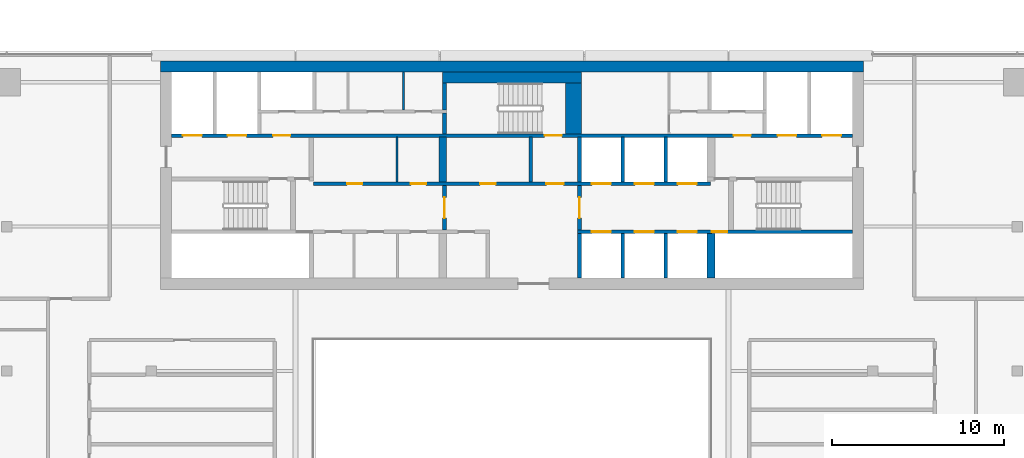
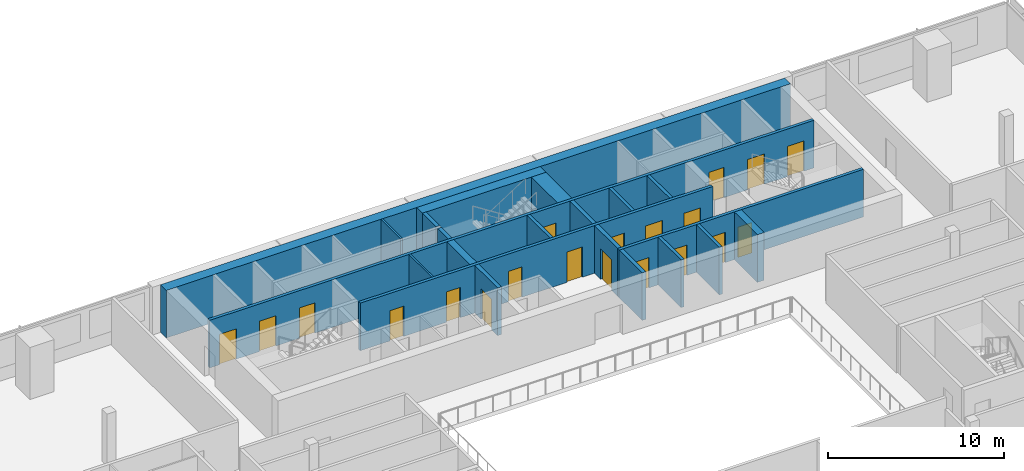
# One storey, part 20 of 25: 21 walls, 20 doors, 20 openings.
"""IFC4 building model written with IfcOpenShell, lengths in metres."""

import ifcopenshell
import ifcopenshell.guid

model = None  # the IFC model being written
_history = None  # IfcOwnerHistory: only IFC2X3 demands one
_inside = {}  # id of a spatial element -> (the spatial element, [elements in it])
_under = {}  # id of a project, library or spatial element -> (it, [spatial elements below it])
_declared = {}  # id of a project -> (the project, [libraries it declares])
_typed = {}  # id of a type object -> (the type object, [elements of that type])
_made_of = {}  # id of a material, layer set ... -> (it, [elements and type objects made of it])


def new_model(schema):
    """Start an empty IFC model of exactly this schema.

    Asked for "IFC4X3", IfcOpenShell would pick the latest addendum, in which some entities
    have other attributes; the version numbers below select the first issue.
    IFC2X3 requires an IfcOwnerHistory on every rooted entity: one is made here for all.
    """
    global model, _history
    if schema == "IFC4X3":
        model = ifcopenshell.file(schema_version=(4, 3, 0, 0))
    else:
        model = ifcopenshell.file(schema=schema)
    _inside.clear()
    _under.clear()
    _declared.clear()
    _typed.clear()
    _made_of.clear()
    _history = None
    if model.schema == "IFC2X3":
        org = make("IfcOrganization", Name="unknown")
        user = make(
            "IfcPersonAndOrganization",
            ThePerson=make("IfcPerson", FamilyName="unknown"),
            TheOrganization=org,
        )
        app = make(
            "IfcApplication",
            ApplicationDeveloper=org,
            Version="unknown",
            ApplicationFullName="unknown",
            ApplicationIdentifier="unknown",
        )
        _history = make(
            "IfcOwnerHistory",
            OwningUser=user,
            OwningApplication=app,
            ChangeAction="ADDED",
            CreationDate=0,
        )
    return model


def make(cls, **values):
    """One entity of the class cls with the attributes given. An attribute that is None is left unset."""
    return model.create_entity(
        cls, **{name: value for name, value in values.items() if value is not None}
    )


def rooted(cls, **values):
    """An entity with a GlobalId (a new one), such as an element, a storey or a relation."""
    return make(cls, GlobalId=ifcopenshell.guid.new(), OwnerHistory=_history, **values)


def si_unit(unit_type, name, prefix=None):
    """IfcSIUnit, for example si_unit("LENGTHUNIT", "METRE", prefix="MILLI")."""
    return make("IfcSIUnit", UnitType=unit_type, Prefix=prefix, Name=name)


def assignment(units):
    """IfcUnitAssignment: the units of a project."""
    return None if units is None else make("IfcUnitAssignment", Units=units)


def point(xyz):
    """IfcCartesianPoint."""
    return None if xyz is None else make("IfcCartesianPoint", Coordinates=xyz)


def direction(xyz):
    """IfcDirection."""
    return None if xyz is None else make("IfcDirection", DirectionRatios=xyz)


def frame(location, z_axis=None, x_axis=None):
    """IfcAxis2Placement3D, a coordinate frame: its origin and axes. An axis left out is left unset."""
    return make(
        "IfcAxis2Placement3D",
        Location=point(location),
        Axis=direction(z_axis),
        RefDirection=direction(x_axis),
    )


def frame_2d(location, x_axis=None):
    """IfcAxis2Placement2D, a coordinate frame in the plane: its origin and x axis."""
    return make(
        "IfcAxis2Placement2D", Location=point(location), RefDirection=direction(x_axis)
    )


def origin():
    """The frame at (0, 0, 0) with its axes left unset."""
    return frame((0.0, 0.0, 0.0))


def place(relative_to, where):
    """IfcLocalPlacement: puts the frame where relative to a parent placement (None: the world)."""
    return make(
        "IfcLocalPlacement", PlacementRelTo=relative_to, RelativePlacement=where
    )


def context(
    kind, dimensions, precision=None, world=None, true_north=None, identifier=None
):
    """IfcGeometricRepresentationContext, for example the 3D "Model" context."""
    return make(
        "IfcGeometricRepresentationContext",
        ContextIdentifier=identifier,
        ContextType=kind,
        CoordinateSpaceDimension=dimensions,
        Precision=precision,
        WorldCoordinateSystem=world,
        TrueNorth=true_north,
    )


def subcontext(parent, identifier, kind, view, scale=None):
    """IfcGeometricRepresentationSubContext, for example "Body" below "Model"."""
    return make(
        "IfcGeometricRepresentationSubContext",
        ContextIdentifier=identifier,
        ContextType=kind,
        ParentContext=parent,
        TargetScale=scale,
        TargetView=view,
    )


def project(units=None, contexts=None):
    """IfcProject with its units and contexts."""
    return rooted(
        "IfcProject",
        Name="project",
        RepresentationContexts=contexts,
        UnitsInContext=assignment(units),
    )


def spatial(cls, under=None, at=None, **own):
    """A site, building, storey or space (cls), placed at a placement, below another one or the project."""
    s = rooted(cls, ObjectPlacement=at, **own)
    if under is not None:
        _under.setdefault(under.id(), (under, []))[1].append(s)
    return s


def profile(cls, at=None, kind="AREA", **sizes):
    """A parametric profile (cls). Its sizes go by their IFC names, for example OverallWidth=200.0."""
    return make(cls, ProfileType=kind, Position=at, **sizes)


def rectangle(**sizes):
    """IfcRectangleProfileDef."""
    return profile("IfcRectangleProfileDef", **sizes)


def extrude(swept, where, along, depth):
    """IfcExtrudedAreaSolid: the profile swept, set in the frame where, extruded along a direction by depth."""
    return make(
        "IfcExtrudedAreaSolid",
        SweptArea=swept,
        Position=where,
        ExtrudedDirection=direction(along),
        Depth=depth,
    )


def shape(context_of_items, identifier, shape_type, items):
    """IfcShapeRepresentation: the items that make up one representation, for example the "Body"."""
    return make(
        "IfcShapeRepresentation",
        ContextOfItems=context_of_items,
        RepresentationIdentifier=identifier,
        RepresentationType=shape_type,
        Items=items,
    )


def material(Name=None, Category=None):
    """IfcMaterial."""
    return make("IfcMaterial", Name=Name, Category=Category)


def layer(
    of_material, thickness, ventilated=None, Name=None, Category=None, Priority=None
):
    """IfcMaterialLayer: one layer of a wall or slab, of a material (None: an air gap)."""
    return make(
        "IfcMaterialLayer",
        Material=of_material,
        LayerThickness=thickness,
        IsVentilated=ventilated,
        Name=Name,
        Category=Category,
        Priority=Priority,
    )


def layer_set(layers, Name=None):
    """IfcMaterialLayerSet."""
    return make("IfcMaterialLayerSet", MaterialLayers=layers, LayerSetName=Name)


def made_of(thing, what):
    """Note that an element or type object is made of a material, layer set ...; save() writes the relation."""
    if what is not None:
        _made_of.setdefault(what.id(), (what, []))[1].append(thing)
    return thing


def type_object(cls, material=None, **own):
    """A type object (cls), such as IfcWallType, which elements share."""
    return made_of(rooted(cls, **own), material)


def element(
    cls,
    number,
    at=None,
    inside=None,
    cuts=None,
    type_object=None,
    material=None,
    context=None,
    identifier="Body",
    shape_type=None,
    held_by="IfcProductDefinitionShape",
    body=None,
    shapes=None,
    **own,
):
    """One element of the class cls, such as IfcWall. Its Tag is "e" and its number.

    at: its placement. inside: the storey or other place that contains it. cuts: it is an
    opening in that element (IfcRelVoidsElement). A single representation is given by context,
    identifier, shape_type and body (its items); several are given by shapes. held_by: the class
    of the entity that holds the representations. save() writes the other relations.
    """
    e = rooted(cls, Tag="e%d" % number, ObjectPlacement=at, **own)
    if body is not None:
        shapes = [shape(context, identifier, shape_type, body)]
    if shapes is not None:
        e.Representation = make(held_by, Representations=shapes)
    if inside is not None:
        _inside.setdefault(inside.id(), (inside, []))[1].append(e)
    if cuts is not None:
        rooted(
            "IfcRelVoidsElement", RelatingBuildingElement=cuts, RelatedOpeningElement=e
        )
    if type_object is not None:
        _typed.setdefault(type_object.id(), (type_object, []))[1].append(e)
    return made_of(e, material)


def fill(opening, filler):
    """IfcRelFillsElement: the door or window that sits in an opening."""
    return rooted(
        "IfcRelFillsElement",
        RelatingOpeningElement=opening,
        RelatedBuildingElement=filler,
    )


def aggregate(whole, parts):
    """IfcRelAggregates: a whole, such as a stair, and the parts it consists of."""
    return rooted("IfcRelAggregates", RelatingObject=whole, RelatedObjects=parts)


def save(model, path):
    """Write the relations noted so far, then the file.

    IfcRelAggregates (storeys below a building ...), IfcRelContainedInSpatialStructure (elements
    in a storey), IfcRelDefinesByType, IfcRelAssociatesMaterial and IfcRelDeclares: one each for
    every whole, place, type object, material and project.
    """
    for whole, parts in _under.values():
        aggregate(whole, parts)
    for where, things in _inside.values():
        rooted(
            "IfcRelContainedInSpatialStructure",
            RelatedElements=things,
            RelatingStructure=where,
        )
    for kind, things in _typed.values():
        rooted("IfcRelDefinesByType", RelatedObjects=things, RelatingType=kind)
    for what, things in _made_of.values():
        rooted("IfcRelAssociatesMaterial", RelatedObjects=things, RelatingMaterial=what)
    for by, libraries in _declared.values():
        rooted("IfcRelDeclares", RelatingContext=by, RelatedDefinitions=libraries)
    model.write(path)


model = new_model("IFC4")

# Units and contexts
model_context = context("Model", 3, precision=1e-05, world=origin(), true_north=direction((0.0, 1.0)))
body_context = subcontext(model_context, "Body", "Model", "MODEL_VIEW")
ifc_project = project(units=[si_unit("LENGTHUNIT", "METRE"), si_unit("AREAUNIT", "SQUARE_METRE"), si_unit("VOLUMEUNIT", "CUBIC_METRE"), si_unit("PLANEANGLEUNIT", "RADIAN"), si_unit("MASSUNIT", "GRAM", prefix="KILO")], contexts=[model_context])

# Site, building, storey
site_placement = place(None, origin())
site = spatial("IfcSite", under=ifc_project, at=site_placement, CompositionType="ELEMENT")
building_placement = place(site_placement, origin())
building = spatial("IfcBuilding", under=site, at=building_placement, Name="Saffron Gate Tower", CompositionType="ELEMENT")
storey_placement = place(building_placement, frame((0.0, 0.0, 248.699951171875)))
storey = spatial("IfcBuildingStorey", under=building, at=storey_placement, Name="L61", CompositionType="ELEMENT", Elevation=248.699951171875)

# Walls
ifc_material_1 = material(Name="Gypsum board partition on steel studs", Category="steel")
ifc_layer_1 = layer(ifc_material_1, 0.199951171875)
ifc_layer_set_1 = layer_set([ifc_layer_1], Name="CW10 Core partition 200")
wall_type_1 = type_object("IfcWallType", Name="CW10 Core partition 200", PredefinedType="PARTITIONING", material=ifc_layer_set_1)
wall_1_placement = place(storey_placement, frame((88.699951171875, 68.0, 0.0), z_axis=(0.0, 0.0, 1.0), x_axis=(0.0, 1.0, 0.0)))
element("IfcWall", 1, at=wall_1_placement, inside=storey, type_object=wall_type_1, Name="Wall CW10-L61-23", PredefinedType="PARTITIONING", context=body_context, shape_type="SweptSolid", body=[
    extrude(rectangle(XDim=2.60009765625, YDim=0.199951171875, at=frame_2d((1.300048828125, 0.0))), origin(), (0.0, 0.0, 1.0), 3.300048828125),
])
ifc_material_2 = material(Name="Concrete C60", Category="concrete")
ifc_layer_2 = layer(ifc_material_2, 0.25)
ifc_layer_set_2 = layer_set([ifc_layer_2], Name="CW14 RC core wall 250 C60")
wall_type_2 = type_object("IfcWallType", Name="CW14 RC core wall 250 C60", PredefinedType="SOLIDWALL", material=ifc_layer_set_2)
wall_2_placement = place(storey_placement, frame((91.52490234375, 62.39990234375, 0.0), z_axis=(0.0, 0.0, 1.0), x_axis=(0.0, 1.0, 0.0)))
element("IfcWall", 2, at=wall_2_placement, inside=storey, type_object=wall_type_2, Name="Wall CW14-L61-10", PredefinedType="SOLIDWALL", context=body_context, shape_type="SweptSolid", body=[
    extrude(rectangle(XDim=2.60009765625, YDim=0.25, at=frame_2d((1.300048828125, 0.0))), origin(), (0.0, 0.0, 1.0), 3.300048828125),
])

# Wall, opening, door
wall_3_placement = place(storey_placement, frame((83.675048828125, 65.199951171875, 0.0), z_axis=(0.0, 0.0, 1.0), x_axis=(0.0, 1.0, 0.0)))
wall_3 = element("IfcWall", 3, at=wall_3_placement, inside=storey, type_object=wall_type_2, Name="Wall CW14-L61-17", PredefinedType="SOLIDWALL", context=body_context, shape_type="SweptSolid", body=[
    extrude(rectangle(XDim=2.60009765625, YDim=0.25, at=frame_2d((1.300048828125, 0.0))), origin(), (0.0, 0.0, 1.0), 3.300048828125),
])
opening_1_placement = place(wall_3_placement, frame((0.699951171875, 0.0, 0.0)))
opening_1 = element("IfcOpeningElement", 4, at=opening_1_placement, cuts=wall_3, Name="Opening CR-07", PredefinedType="OPENING", context=body_context, shape_type="SweptSolid", body=[
    extrude(rectangle(XDim=1.199951171875, YDim=2.10009765625, at=frame_2d((0.60009765625, 1.050048828125))), frame((0.0, 0.135009765625, 0.0), z_axis=(0.0, -1.0, 0.0), x_axis=(1.0, 0.0, 0.0)), (0.0, 0.0, 1.0), 0.27001953125),
])
ifc_material_3 = material(Name="Steel fire door set", Category="steel")
door_type_1 = type_object("IfcDoorType", Name="CD3 Lobby door 1200x2100 EI 120", OperationType="NOTDEFINED", PredefinedType="DOOR", material=ifc_material_3)
door_1_placement = place(opening_1_placement, origin())
door_1 = element("IfcDoor", 5, at=door_1_placement, inside=storey, type_object=door_type_1, Name="DOOR CR-07", OperationType="SINGLE_SWING_RIGHT", OverallHeight=2.10009765625, OverallWidth=1.199951171875, PredefinedType="DOOR", context=body_context, shape_type="SweptSolid", body=[
    extrude(rectangle(XDim=1.199951171875, YDim=2.10009765625, at=frame_2d((0.60009765625, 1.050048828125))), frame((0.0, 0.02490234375, 0.0), z_axis=(0.0, -1.0, 0.0), x_axis=(1.0, 0.0, 0.0)), (0.0, 0.0, 1.0), 0.050048828125),
])
fill(opening_1, door_1)

wall_4_placement = place(storey_placement, frame((91.52490234375, 65.199951171875, 0.0), z_axis=(0.0, 0.0, 1.0), x_axis=(0.0, 1.0, 0.0)))
wall_4 = element("IfcWall", 6, at=wall_4_placement, inside=storey, type_object=wall_type_2, Name="Wall CW14-L61-18", PredefinedType="SOLIDWALL", context=body_context, shape_type="SweptSolid", body=[
    extrude(rectangle(XDim=2.60009765625, YDim=0.25, at=frame_2d((1.300048828125, 0.0))), origin(), (0.0, 0.0, 1.0), 3.300048828125),
])
opening_2_placement = place(wall_4_placement, frame((0.699951171875, 0.0, 0.0)))
opening_2 = element("IfcOpeningElement", 7, at=opening_2_placement, cuts=wall_4, Name="Opening CR-01", PredefinedType="OPENING", context=body_context, shape_type="SweptSolid", body=[
    extrude(rectangle(XDim=1.199951171875, YDim=2.10009765625, at=frame_2d((0.60009765625, 1.050048828125))), frame((0.0, 0.135009765625, 0.0), z_axis=(0.0, -1.0, 0.0), x_axis=(1.0, 0.0, 0.0)), (0.0, 0.0, 1.0), 0.27001953125),
])
door_2_placement = place(opening_2_placement, origin())
door_2 = element("IfcDoor", 8, at=door_2_placement, inside=storey, type_object=door_type_1, Name="DOOR CR-01", OperationType="SINGLE_SWING_RIGHT", OverallHeight=2.10009765625, OverallWidth=1.199951171875, PredefinedType="DOOR", context=body_context, shape_type="SweptSolid", body=[
    extrude(rectangle(XDim=1.199951171875, YDim=2.10009765625, at=frame_2d((0.60009765625, 1.050048828125))), frame((0.0, 0.02490234375, 0.0), z_axis=(0.0, -1.0, 0.0), x_axis=(1.0, 0.0, 0.0)), (0.0, 0.0, 1.0), 0.050048828125),
])
fill(opening_2, door_2)

# Walls
wall_5_placement = place(storey_placement, frame((91.52490234375, 68.0, 0.0), z_axis=(0.0, 0.0, 1.0), x_axis=(0.0, 1.0, 0.0)))
element("IfcWall", 9, at=wall_5_placement, inside=storey, type_object=wall_type_2, Name="Wall CW14-L61-24", PredefinedType="SOLIDWALL", context=body_context, shape_type="SweptSolid", body=[
    extrude(rectangle(XDim=2.60009765625, YDim=0.25, at=frame_2d((1.300048828125, 0.0))), origin(), (0.0, 0.0, 1.0), 3.300048828125),
])
wall_6_placement = place(storey_placement, frame((83.675048828125, 70.800048828125, 0.0), z_axis=(0.0, 0.0, 1.0), x_axis=(0.0, 1.0, 0.0)))
element("IfcWall", 10, at=wall_6_placement, inside=storey, type_object=wall_type_2, Name="Wall CW14-L61-35", PredefinedType="SOLIDWALL", context=body_context, shape_type="SweptSolid", body=[
    extrude(rectangle(XDim=1.199951171875, YDim=0.25, at=frame_2d((0.60009765625, 0.0))), origin(), (0.0, 0.0, 1.0), 3.300048828125),
])
wall_7_placement = place(storey_placement, frame((83.675048828125, 72.199951171875, 0.0), z_axis=(0.0, 0.0, 1.0), x_axis=(0.0, 1.0, 0.0)))
element("IfcWall", 11, at=wall_7_placement, inside=storey, type_object=wall_type_2, Name="Wall CW14-L61-46", PredefinedType="SOLIDWALL", context=body_context, shape_type="SweptSolid", body=[
    extrude(rectangle(XDim=1.550048828125, YDim=0.25, at=frame_2d((0.77490234375, 0.0))), origin(), (0.0, 0.0, 1.0), 3.300048828125),
])
ifc_layer_3 = layer(ifc_material_2, 0.199951171875)
ifc_layer_set_3 = layer_set([ifc_layer_3], Name="CW15 RC core wall 200 C60")
wall_type_3 = type_object("IfcWallType", Name="CW15 RC core wall 200 C60", PredefinedType="SOLIDWALL", material=ifc_layer_set_3)
for number, where, z_axis, x_axis, name in (
    (12, (94.050048828125, 62.39990234375, 0.0), (0.0, 0.0, 1.0), (0.0, 1.0, 0.0), "Wall CW15-L61-11"),
    (13, (96.550048828125, 62.39990234375, 0.0), (0.0, 0.0, 1.0), (0.0, 1.0, 0.0), "Wall CW15-L61-12"),
):
    element("IfcWall", number, at=place(storey_placement, frame(where, z_axis=z_axis, x_axis=x_axis)), inside=storey, type_object=wall_type_3, Name=name, PredefinedType="SOLIDWALL", context=body_context, shape_type="SweptSolid", body=[
        extrude(rectangle(XDim=2.60009765625, YDim=0.199951171875, at=frame_2d((1.300048828125, 0.0))), origin(), (0.0, 0.0, 1.0), 3.300048828125),
    ])

# Wall, openings, doors
wall_8_placement = place(storey_placement, frame((91.39990234375, 65.10009765625, 0.0), z_axis=(0.0, 0.0, 1.0), x_axis=(1.0, 0.0, 0.0)))
wall_8 = element("IfcWall", 14, at=wall_8_placement, inside=storey, type_object=wall_type_3, Name="Wall CW15-L61-15", PredefinedType="SOLIDWALL", context=body_context, shape_type="SweptSolid", body=[
    extrude(rectangle(XDim=16.0, YDim=0.199951171875, at=frame_2d((8.0, 0.0))), origin(), (0.0, 0.0, 1.0), 3.300048828125),
])
opening_3_placement = place(wall_8_placement, frame((0.85009765625, 0.0, 0.0)))
opening_3 = element("IfcOpeningElement", 15, at=opening_3_placement, cuts=wall_8, Name="Opening LD-HR1", PredefinedType="OPENING", context=body_context, shape_type="SweptSolid", body=[
    extrude(rectangle(XDim=1.10009765625, YDim=2.10009765625, at=frame_2d((0.550048828125, 1.050048828125))), frame((0.0, 0.10986328125, 0.0), z_axis=(0.0, -1.0, 0.0), x_axis=(1.0, 0.0, 0.0)), (0.0, 0.0, 1.0), 0.219970703125),
])
opening_4_placement = place(wall_8_placement, frame((3.35009765625, 0.0, 0.0)))
opening_4 = element("IfcOpeningElement", 16, at=opening_4_placement, cuts=wall_8, Name="Opening LD-HR2", PredefinedType="OPENING", context=body_context, shape_type="SweptSolid", body=[
    extrude(rectangle(XDim=1.10009765625, YDim=2.10009765625, at=frame_2d((0.550048828125, 1.050048828125))), frame((0.0, 0.10986328125, 0.0), z_axis=(0.0, -1.0, 0.0), x_axis=(1.0, 0.0, 0.0)), (0.0, 0.0, 1.0), 0.219970703125),
])
opening_5_placement = place(wall_8_placement, frame((5.85009765625, 0.0, 0.0)))
opening_5 = element("IfcOpeningElement", 17, at=opening_5_placement, cuts=wall_8, Name="Opening LD-HR3", PredefinedType="OPENING", context=body_context, shape_type="SweptSolid", body=[
    extrude(rectangle(XDim=1.10009765625, YDim=2.10009765625, at=frame_2d((0.550048828125, 1.050048828125))), frame((0.0, 0.10986328125, 0.0), z_axis=(0.0, -1.0, 0.0), x_axis=(1.0, 0.0, 0.0)), (0.0, 0.0, 1.0), 0.219970703125),
])
opening_6_placement = place(wall_8_placement, frame((7.830078125, 0.0, 0.0)))
opening_6 = element("IfcOpeningElement", 18, at=opening_6_placement, cuts=wall_8, Name="Opening CR-48", PredefinedType="OPENING", context=body_context, shape_type="SweptSolid", body=[
    extrude(rectangle(XDim=0.89990234375, YDim=2.10009765625, at=frame_2d((0.449951171875, 1.050048828125))), frame((0.0, 0.10986328125, 0.0), z_axis=(0.0, -1.0, 0.0), x_axis=(1.0, 0.0, 0.0)), (0.0, 0.0, 1.0), 0.219970703125),
])
door_type_2 = type_object("IfcDoorType", Name="CD2 Riser door 900x2100 EI 60", OperationType="NOTDEFINED", PredefinedType="DOOR", material=ifc_material_3)
door_3_placement = place(opening_6_placement, origin())
door_3 = element("IfcDoor", 19, at=door_3_placement, inside=storey, type_object=door_type_2, Name="DOOR CR-48", OperationType="SINGLE_SWING_RIGHT", OverallHeight=2.10009765625, OverallWidth=0.89990234375, PredefinedType="DOOR", context=body_context, shape_type="SweptSolid", body=[
    extrude(rectangle(XDim=0.89990234375, YDim=2.10009765625, at=frame_2d((0.449951171875, 1.050048828125))), frame((0.0, 0.02490234375, 0.0), z_axis=(0.0, -1.0, 0.0), x_axis=(1.0, 0.0, 0.0)), (0.0, 0.0, 1.0), 0.050048828125),
])
fill(opening_6, door_3)
ifc_material_4 = material(Name="Stainless steel landing door", Category="steel")
door_type_3 = type_object("IfcDoorType", Name="LD Lift landing door 1100x2100 EI 120", OperationType="SLIDING_TO_LEFT", PredefinedType="DOOR", material=ifc_material_4)
door_4_placement = place(opening_3_placement, origin())
door_4 = element("IfcDoor", 20, at=door_4_placement, inside=storey, type_object=door_type_3, Name="LANDING DOOR LD-HR1", OperationType="SLIDING_TO_LEFT", OverallHeight=2.10009765625, OverallWidth=1.10009765625, PredefinedType="DOOR", context=body_context, shape_type="SweptSolid", body=[
    extrude(rectangle(XDim=1.10009765625, YDim=2.10009765625, at=frame_2d((0.550048828125, 1.050048828125))), frame((0.0, 0.02490234375, 0.0), z_axis=(0.0, -1.0, 0.0), x_axis=(1.0, 0.0, 0.0)), (0.0, 0.0, 1.0), 0.050048828125),
])
fill(opening_3, door_4)
door_5_placement = place(opening_4_placement, origin())
door_5 = element("IfcDoor", 21, at=door_5_placement, inside=storey, type_object=door_type_3, Name="LANDING DOOR LD-HR2", OperationType="SLIDING_TO_LEFT", OverallHeight=2.10009765625, OverallWidth=1.10009765625, PredefinedType="DOOR", context=body_context, shape_type="SweptSolid", body=[
    extrude(rectangle(XDim=1.10009765625, YDim=2.10009765625, at=frame_2d((0.550048828125, 1.050048828125))), frame((0.0, 0.02490234375, 0.0), z_axis=(0.0, -1.0, 0.0), x_axis=(1.0, 0.0, 0.0)), (0.0, 0.0, 1.0), 0.050048828125),
])
fill(opening_4, door_5)
door_6_placement = place(opening_5_placement, origin())
door_6 = element("IfcDoor", 22, at=door_6_placement, inside=storey, type_object=door_type_3, Name="LANDING DOOR LD-HR3", OperationType="SLIDING_TO_LEFT", OverallHeight=2.10009765625, OverallWidth=1.10009765625, PredefinedType="DOOR", context=body_context, shape_type="SweptSolid", body=[
    extrude(rectangle(XDim=1.10009765625, YDim=2.10009765625, at=frame_2d((0.550048828125, 1.050048828125))), frame((0.0, 0.02490234375, 0.0), z_axis=(0.0, -1.0, 0.0), x_axis=(1.0, 0.0, 0.0)), (0.0, 0.0, 1.0), 0.050048828125),
])
fill(opening_5, door_6)

wall_9_placement = place(storey_placement, frame((76.050048828125, 67.89990234375, 0.0), z_axis=(0.0, 0.0, 1.0), x_axis=(1.0, 0.0, 0.0)))
wall_9 = element("IfcWall", 23, at=wall_9_placement, inside=storey, type_object=wall_type_3, Name="Wall CW15-L61-20", PredefinedType="SOLIDWALL", context=body_context, shape_type="SweptSolid", body=[
    extrude(rectangle(XDim=23.099853515625, YDim=0.199951171875, at=frame_2d((11.5498046875, 0.0))), origin(), (0.0, 0.0, 1.0), 3.300048828125),
])
opening_7_placement = place(wall_9_placement, frame((1.949951171875, 0.0, 0.0)))
opening_7 = element("IfcOpeningElement", 24, at=opening_7_placement, cuts=wall_9, Name="Opening CR-61", PredefinedType="OPENING", context=body_context, shape_type="SweptSolid", body=[
    extrude(rectangle(XDim=0.89990234375, YDim=2.10009765625, at=frame_2d((0.449951171875, 1.050048828125))), frame((0.0, 0.10986328125, 0.0), z_axis=(0.0, -1.0, 0.0), x_axis=(1.0, 0.0, 0.0)), (0.0, 0.0, 1.0), 0.219970703125),
])
opening_8_placement = place(wall_9_placement, frame((5.659912109375, 0.0, 0.0)))
opening_8 = element("IfcOpeningElement", 25, at=opening_8_placement, cuts=wall_9, Name="Opening CR-62", PredefinedType="OPENING", context=body_context, shape_type="SweptSolid", body=[
    extrude(rectangle(XDim=0.89990234375, YDim=2.10009765625, at=frame_2d((0.449951171875, 1.050048828125))), frame((0.0, 0.10986328125, 0.0), z_axis=(0.0, -1.0, 0.0), x_axis=(1.0, 0.0, 0.0)), (0.0, 0.0, 1.0), 0.219970703125),
])
opening_9_placement = place(wall_9_placement, frame((9.699951171875, 0.0, 0.0)))
opening_9 = element("IfcOpeningElement", 26, at=opening_9_placement, cuts=wall_9, Name="Opening CR-67", PredefinedType="OPENING", context=body_context, shape_type="SweptSolid", body=[
    extrude(rectangle(XDim=0.89990234375, YDim=2.10009765625, at=frame_2d((0.449951171875, 1.050048828125))), frame((0.0, 0.10986328125, 0.0), z_axis=(0.0, -1.0, 0.0), x_axis=(1.0, 0.0, 0.0)), (0.0, 0.0, 1.0), 0.219970703125),
])
opening_10_placement = place(wall_9_placement, frame((13.550048828125, 0.0, 0.0)))
opening_10 = element("IfcOpeningElement", 27, at=opening_10_placement, cuts=wall_9, Name="Opening CR-02", PredefinedType="OPENING", context=body_context, shape_type="SweptSolid", body=[
    extrude(rectangle(XDim=1.0, YDim=2.10009765625, at=frame_2d((0.5, 1.050048828125))), frame((0.0, 0.10986328125, 0.0), z_axis=(0.0, -1.0, 0.0), x_axis=(1.0, 0.0, 0.0)), (0.0, 0.0, 1.0), 0.219970703125),
])
opening_11_placement = place(wall_9_placement, frame((16.199951171875, 0.0, 0.0)))
opening_11 = element("IfcOpeningElement", 28, at=opening_11_placement, cuts=wall_9, Name="Opening LD-HR4", PredefinedType="OPENING", context=body_context, shape_type="SweptSolid", body=[
    extrude(rectangle(XDim=1.10009765625, YDim=2.10009765625, at=frame_2d((0.550048828125, 1.050048828125))), frame((0.0, 0.10986328125, 0.0), z_axis=(0.0, -1.0, 0.0), x_axis=(1.0, 0.0, 0.0)), (0.0, 0.0, 1.0), 0.219970703125),
])
opening_12_placement = place(wall_9_placement, frame((18.699951171875, 0.0, 0.0)))
opening_12 = element("IfcOpeningElement", 29, at=opening_12_placement, cuts=wall_9, Name="Opening LD-HR5", PredefinedType="OPENING", context=body_context, shape_type="SweptSolid", body=[
    extrude(rectangle(XDim=1.10009765625, YDim=2.10009765625, at=frame_2d((0.550048828125, 1.050048828125))), frame((0.0, 0.10986328125, 0.0), z_axis=(0.0, -1.0, 0.0), x_axis=(1.0, 0.0, 0.0)), (0.0, 0.0, 1.0), 0.219970703125),
])
opening_13_placement = place(wall_9_placement, frame((21.199951171875, 0.0, 0.0)))
opening_13 = element("IfcOpeningElement", 30, at=opening_13_placement, cuts=wall_9, Name="Opening LD-HR6", PredefinedType="OPENING", context=body_context, shape_type="SweptSolid", body=[
    extrude(rectangle(XDim=1.10009765625, YDim=2.10009765625, at=frame_2d((0.550048828125, 1.050048828125))), frame((0.0, 0.10986328125, 0.0), z_axis=(0.0, -1.0, 0.0), x_axis=(1.0, 0.0, 0.0)), (0.0, 0.0, 1.0), 0.219970703125),
])
door_type_4 = type_object("IfcDoorType", Name="CD4 Lobby door 1000x2100 EI 120", OperationType="NOTDEFINED", PredefinedType="DOOR", material=ifc_material_3)
door_7_placement = place(opening_10_placement, origin())
door_7 = element("IfcDoor", 31, at=door_7_placement, inside=storey, type_object=door_type_4, Name="DOOR CR-02", OperationType="SINGLE_SWING_LEFT", OverallHeight=2.10009765625, OverallWidth=1.0, PredefinedType="DOOR", context=body_context, shape_type="SweptSolid", body=[
    extrude(rectangle(XDim=1.0, YDim=2.10009765625, at=frame_2d((0.5, 1.050048828125))), frame((0.0, 0.02490234375, 0.0), z_axis=(0.0, -1.0, 0.0), x_axis=(1.0, 0.0, 0.0)), (0.0, 0.0, 1.0), 0.050048828125),
])
fill(opening_10, door_7)
door_type_5 = type_object("IfcDoorType", Name="CD9 Room door 900x2100 EI 60", OperationType="NOTDEFINED", PredefinedType="DOOR", material=ifc_material_3)
door_8_placement = place(opening_7_placement, origin())
door_8 = element("IfcDoor", 32, at=door_8_placement, inside=storey, type_object=door_type_5, Name="DOOR CR-61", OperationType="SINGLE_SWING_LEFT", OverallHeight=2.10009765625, OverallWidth=0.89990234375, PredefinedType="DOOR", context=body_context, shape_type="SweptSolid", body=[
    extrude(rectangle(XDim=0.89990234375, YDim=2.10009765625, at=frame_2d((0.449951171875, 1.050048828125))), frame((0.0, 0.02490234375, 0.0), z_axis=(0.0, -1.0, 0.0), x_axis=(1.0, 0.0, 0.0)), (0.0, 0.0, 1.0), 0.050048828125),
])
fill(opening_7, door_8)
door_9_placement = place(opening_8_placement, origin())
door_9 = element("IfcDoor", 33, at=door_9_placement, inside=storey, type_object=door_type_5, Name="DOOR CR-62", OperationType="SINGLE_SWING_LEFT", OverallHeight=2.10009765625, OverallWidth=0.89990234375, PredefinedType="DOOR", context=body_context, shape_type="SweptSolid", body=[
    extrude(rectangle(XDim=0.89990234375, YDim=2.10009765625, at=frame_2d((0.449951171875, 1.050048828125))), frame((0.0, 0.02490234375, 0.0), z_axis=(0.0, -1.0, 0.0), x_axis=(1.0, 0.0, 0.0)), (0.0, 0.0, 1.0), 0.050048828125),
])
fill(opening_8, door_9)
door_10_placement = place(opening_9_placement, origin())
door_10 = element("IfcDoor", 34, at=door_10_placement, inside=storey, type_object=door_type_5, Name="DOOR CR-67", OperationType="SINGLE_SWING_LEFT", OverallHeight=2.10009765625, OverallWidth=0.89990234375, PredefinedType="DOOR", context=body_context, shape_type="SweptSolid", body=[
    extrude(rectangle(XDim=0.89990234375, YDim=2.10009765625, at=frame_2d((0.449951171875, 1.050048828125))), frame((0.0, 0.02490234375, 0.0), z_axis=(0.0, -1.0, 0.0), x_axis=(1.0, 0.0, 0.0)), (0.0, 0.0, 1.0), 0.050048828125),
])
fill(opening_9, door_10)
door_11_placement = place(opening_11_placement, origin())
door_11 = element("IfcDoor", 35, at=door_11_placement, inside=storey, type_object=door_type_3, Name="LANDING DOOR LD-HR4", OperationType="SLIDING_TO_RIGHT", OverallHeight=2.10009765625, OverallWidth=1.10009765625, PredefinedType="DOOR", context=body_context, shape_type="SweptSolid", body=[
    extrude(rectangle(XDim=1.10009765625, YDim=2.10009765625, at=frame_2d((0.550048828125, 1.050048828125))), frame((0.0, 0.02490234375, 0.0), z_axis=(0.0, -1.0, 0.0), x_axis=(1.0, 0.0, 0.0)), (0.0, 0.0, 1.0), 0.050048828125),
])
fill(opening_11, door_11)
door_12_placement = place(opening_12_placement, origin())
door_12 = element("IfcDoor", 36, at=door_12_placement, inside=storey, type_object=door_type_3, Name="LANDING DOOR LD-HR5", OperationType="SLIDING_TO_RIGHT", OverallHeight=2.10009765625, OverallWidth=1.10009765625, PredefinedType="DOOR", context=body_context, shape_type="SweptSolid", body=[
    extrude(rectangle(XDim=1.10009765625, YDim=2.10009765625, at=frame_2d((0.550048828125, 1.050048828125))), frame((0.0, 0.02490234375, 0.0), z_axis=(0.0, -1.0, 0.0), x_axis=(1.0, 0.0, 0.0)), (0.0, 0.0, 1.0), 0.050048828125),
])
fill(opening_12, door_12)
door_13_placement = place(opening_13_placement, origin())
door_13 = element("IfcDoor", 37, at=door_13_placement, inside=storey, type_object=door_type_3, Name="LANDING DOOR LD-HR6", OperationType="SLIDING_TO_RIGHT", OverallHeight=2.10009765625, OverallWidth=1.10009765625, PredefinedType="DOOR", context=body_context, shape_type="SweptSolid", body=[
    extrude(rectangle(XDim=1.10009765625, YDim=2.10009765625, at=frame_2d((0.550048828125, 1.050048828125))), frame((0.0, 0.02490234375, 0.0), z_axis=(0.0, -1.0, 0.0), x_axis=(1.0, 0.0, 0.0)), (0.0, 0.0, 1.0), 0.050048828125),
])
fill(opening_13, door_13)

# Walls
for number, where, z_axis, x_axis, name in (
    (38, (94.050048828125, 68.0, 0.0), (0.0, 0.0, 1.0), (0.0, 1.0, 0.0), "Wall CW15-L61-25"),
    (39, (96.550048828125, 68.0, 0.0), (0.0, 0.0, 1.0), (0.0, 1.0, 0.0), "Wall CW15-L61-26"),
):
    element("IfcWall", number, at=place(storey_placement, frame(where, z_axis=z_axis, x_axis=x_axis)), inside=storey, type_object=wall_type_3, Name=name, PredefinedType="SOLIDWALL", context=body_context, shape_type="SweptSolid", body=[
        extrude(rectangle(XDim=2.60009765625, YDim=0.199951171875, at=frame_2d((1.300048828125, 0.0))), origin(), (0.0, 0.0, 1.0), 3.300048828125),
    ])

# Wall, openings, doors
wall_10_placement = place(storey_placement, frame((67.800048828125, 70.699951171875, 0.0), z_axis=(0.0, 0.0, 1.0), x_axis=(1.0, 0.0, 0.0)))
wall_10 = element("IfcWall", 40, at=wall_10_placement, inside=storey, type_object=wall_type_3, Name="Wall CW15-L61-32", PredefinedType="SOLIDWALL", context=body_context, shape_type="SweptSolid", body=[
    extrude(rectangle(XDim=39.599853515625, YDim=0.199951171875, at=frame_2d((19.7998046875, 0.0))), origin(), (0.0, 0.0, 1.0), 3.300048828125),
])
opening_14_placement = place(wall_10_placement, frame((0.64990234375, 0.0, 0.0)))
opening_14 = element("IfcOpeningElement", 41, at=opening_14_placement, cuts=wall_10, Name="Opening LD-FF1", PredefinedType="OPENING", context=body_context, shape_type="SweptSolid", body=[
    extrude(rectangle(XDim=1.10009765625, YDim=2.10009765625, at=frame_2d((0.550048828125, 1.050048828125))), frame((0.0, 0.10986328125, 0.0), z_axis=(0.0, -1.0, 0.0), x_axis=(1.0, 0.0, 0.0)), (0.0, 0.0, 1.0), 0.219970703125),
])
opening_15_placement = place(wall_10_placement, frame((3.25, 0.0, 0.0)))
opening_15 = element("IfcOpeningElement", 42, at=opening_15_placement, cuts=wall_10, Name="Opening LD-SV1", PredefinedType="OPENING", context=body_context, shape_type="SweptSolid", body=[
    extrude(rectangle(XDim=1.10009765625, YDim=2.10009765625, at=frame_2d((0.550048828125, 1.050048828125))), frame((0.0, 0.10986328125, 0.0), z_axis=(0.0, -1.0, 0.0), x_axis=(1.0, 0.0, 0.0)), (0.0, 0.0, 1.0), 0.219970703125),
])
opening_16_placement = place(wall_10_placement, frame((5.89990234375, 0.0, 0.0)))
opening_16 = element("IfcOpeningElement", 43, at=opening_16_placement, cuts=wall_10, Name="Opening CR-03", PredefinedType="OPENING", context=body_context, shape_type="SweptSolid", body=[
    extrude(rectangle(XDim=1.0, YDim=2.10009765625, at=frame_2d((0.5, 1.050048828125))), frame((0.0, 0.10986328125, 0.0), z_axis=(0.0, -1.0, 0.0), x_axis=(1.0, 0.0, 0.0)), (0.0, 0.0, 1.0), 0.219970703125),
])
opening_17_placement = place(wall_10_placement, frame((21.699951171875, 0.0, 0.0)))
opening_17 = element("IfcOpeningElement", 44, at=opening_17_placement, cuts=wall_10, Name="Opening CR-17", PredefinedType="OPENING", context=body_context, shape_type="SweptSolid", body=[
    extrude(rectangle(XDim=1.0, YDim=2.10009765625, at=frame_2d((0.5, 1.050048828125))), frame((0.0, 0.10986328125, 0.0), z_axis=(0.0, -1.0, 0.0), x_axis=(1.0, 0.0, 0.0)), (0.0, 0.0, 1.0), 0.219970703125),
])
opening_18_placement = place(wall_10_placement, frame((32.699951171875, 0.0, 0.0)))
opening_18 = element("IfcOpeningElement", 45, at=opening_18_placement, cuts=wall_10, Name="Opening CR-04", PredefinedType="OPENING", context=body_context, shape_type="SweptSolid", body=[
    extrude(rectangle(XDim=1.0, YDim=2.10009765625, at=frame_2d((0.5, 1.050048828125))), frame((0.0, 0.10986328125, 0.0), z_axis=(0.0, -1.0, 0.0), x_axis=(1.0, 0.0, 0.0)), (0.0, 0.0, 1.0), 0.219970703125),
])
opening_19_placement = place(wall_10_placement, frame((35.25, 0.0, 0.0)))
opening_19 = element("IfcOpeningElement", 46, at=opening_19_placement, cuts=wall_10, Name="Opening LD-SV2", PredefinedType="OPENING", context=body_context, shape_type="SweptSolid", body=[
    extrude(rectangle(XDim=1.10009765625, YDim=2.10009765625, at=frame_2d((0.550048828125, 1.050048828125))), frame((0.0, 0.10986328125, 0.0), z_axis=(0.0, -1.0, 0.0), x_axis=(1.0, 0.0, 0.0)), (0.0, 0.0, 1.0), 0.219970703125),
])
opening_20_placement = place(wall_10_placement, frame((37.85009765625, 0.0, 0.0)))
opening_20 = element("IfcOpeningElement", 47, at=opening_20_placement, cuts=wall_10, Name="Opening LD-FF2", PredefinedType="OPENING", context=body_context, shape_type="SweptSolid", body=[
    extrude(rectangle(XDim=1.10009765625, YDim=2.10009765625, at=frame_2d((0.550048828125, 1.050048828125))), frame((0.0, 0.10986328125, 0.0), z_axis=(0.0, -1.0, 0.0), x_axis=(1.0, 0.0, 0.0)), (0.0, 0.0, 1.0), 0.219970703125),
])
door_14_placement = place(opening_16_placement, origin())
door_14 = element("IfcDoor", 48, at=door_14_placement, inside=storey, type_object=door_type_4, Name="DOOR CR-03", OperationType="SINGLE_SWING_LEFT", OverallHeight=2.10009765625, OverallWidth=1.0, PredefinedType="DOOR", context=body_context, shape_type="SweptSolid", body=[
    extrude(rectangle(XDim=1.0, YDim=2.10009765625, at=frame_2d((0.5, 1.050048828125))), frame((0.0, 0.02490234375, 0.0), z_axis=(0.0, -1.0, 0.0), x_axis=(1.0, 0.0, 0.0)), (0.0, 0.0, 1.0), 0.050048828125),
])
fill(opening_16, door_14)
door_15_placement = place(opening_18_placement, origin())
door_15 = element("IfcDoor", 49, at=door_15_placement, inside=storey, type_object=door_type_4, Name="DOOR CR-04", OperationType="SINGLE_SWING_RIGHT", OverallHeight=2.10009765625, OverallWidth=1.0, PredefinedType="DOOR", context=body_context, shape_type="SweptSolid", body=[
    extrude(rectangle(XDim=1.0, YDim=2.10009765625, at=frame_2d((0.5, 1.050048828125))), frame((0.0, 0.02490234375, 0.0), z_axis=(0.0, -1.0, 0.0), x_axis=(1.0, 0.0, 0.0)), (0.0, 0.0, 1.0), 0.050048828125),
])
fill(opening_18, door_15)
door_type_6 = type_object("IfcDoorType", Name="CD5 Stair door 1000x2100 EI 120", OperationType="NOTDEFINED", PredefinedType="DOOR", material=ifc_material_3)
door_16_placement = place(opening_17_placement, origin())
door_16 = element("IfcDoor", 50, at=door_16_placement, inside=storey, type_object=door_type_6, Name="DOOR CR-17", OperationType="SINGLE_SWING_RIGHT", OverallHeight=2.10009765625, OverallWidth=1.0, PredefinedType="DOOR", context=body_context, shape_type="SweptSolid", body=[
    extrude(rectangle(XDim=1.0, YDim=2.10009765625, at=frame_2d((0.5, 1.050048828125))), frame((0.0, 0.02490234375, 0.0), z_axis=(0.0, -1.0, 0.0), x_axis=(1.0, 0.0, 0.0)), (0.0, 0.0, 1.0), 0.050048828125),
])
fill(opening_17, door_16)
door_17_placement = place(opening_14_placement, origin())
door_17 = element("IfcDoor", 51, at=door_17_placement, inside=storey, type_object=door_type_3, Name="LANDING DOOR LD-FF1", OperationType="SLIDING_TO_RIGHT", OverallHeight=2.10009765625, OverallWidth=1.10009765625, PredefinedType="DOOR", context=body_context, shape_type="SweptSolid", body=[
    extrude(rectangle(XDim=1.10009765625, YDim=2.10009765625, at=frame_2d((0.550048828125, 1.050048828125))), frame((0.0, 0.02490234375, 0.0), z_axis=(0.0, -1.0, 0.0), x_axis=(1.0, 0.0, 0.0)), (0.0, 0.0, 1.0), 0.050048828125),
])
fill(opening_14, door_17)
door_18_placement = place(opening_15_placement, origin())
door_18 = element("IfcDoor", 52, at=door_18_placement, inside=storey, type_object=door_type_3, Name="LANDING DOOR LD-SV1", OperationType="SLIDING_TO_RIGHT", OverallHeight=2.10009765625, OverallWidth=1.10009765625, PredefinedType="DOOR", context=body_context, shape_type="SweptSolid", body=[
    extrude(rectangle(XDim=1.10009765625, YDim=2.10009765625, at=frame_2d((0.550048828125, 1.050048828125))), frame((0.0, 0.02490234375, 0.0), z_axis=(0.0, -1.0, 0.0), x_axis=(1.0, 0.0, 0.0)), (0.0, 0.0, 1.0), 0.050048828125),
])
fill(opening_15, door_18)
door_19_placement = place(opening_19_placement, origin())
door_19 = element("IfcDoor", 53, at=door_19_placement, inside=storey, type_object=door_type_3, Name="LANDING DOOR LD-SV2", OperationType="SLIDING_TO_RIGHT", OverallHeight=2.10009765625, OverallWidth=1.10009765625, PredefinedType="DOOR", context=body_context, shape_type="SweptSolid", body=[
    extrude(rectangle(XDim=1.10009765625, YDim=2.10009765625, at=frame_2d((0.550048828125, 1.050048828125))), frame((0.0, 0.02490234375, 0.0), z_axis=(0.0, -1.0, 0.0), x_axis=(1.0, 0.0, 0.0)), (0.0, 0.0, 1.0), 0.050048828125),
])
fill(opening_19, door_19)
door_20_placement = place(opening_20_placement, origin())
door_20 = element("IfcDoor", 54, at=door_20_placement, inside=storey, type_object=door_type_3, Name="LANDING DOOR LD-FF2", OperationType="SLIDING_TO_RIGHT", OverallHeight=2.10009765625, OverallWidth=1.10009765625, PredefinedType="DOOR", context=body_context, shape_type="SweptSolid", body=[
    extrude(rectangle(XDim=1.10009765625, YDim=2.10009765625, at=frame_2d((0.550048828125, 1.050048828125))), frame((0.0, 0.02490234375, 0.0), z_axis=(0.0, -1.0, 0.0), x_axis=(1.0, 0.0, 0.0)), (0.0, 0.0, 1.0), 0.050048828125),
])
fill(opening_20, door_20)

# Walls
ifc_layer_4 = layer(ifc_material_2, 0.449951171875)
ifc_layer_set_4 = layer_set([ifc_layer_4], Name="CW16 RC core wall 450 C60")
wall_type_4 = type_object("IfcWallType", Name="CW16 RC core wall 450 C60", PredefinedType="SOLIDWALL", material=ifc_layer_set_4)
for number, where, z_axis, x_axis, name in (
    (55, (99.175048828125, 62.39990234375, 0.0), (0.0, 0.0, 1.0), (0.0, 1.0, 0.0), "Wall CW16-L61-13"),
    (56, (83.574951171875, 68.0, 0.0), (0.0, 0.0, 1.0), (0.0, 1.0, 0.0), "Wall CW16-L61-22"),
):
    element("IfcWall", number, at=place(storey_placement, frame(where, z_axis=z_axis, x_axis=x_axis)), inside=storey, type_object=wall_type_4, Name=name, PredefinedType="SOLIDWALL", context=body_context, shape_type="SweptSolid", body=[
        extrude(rectangle(XDim=2.60009765625, YDim=0.449951171875, at=frame_2d((1.300048828125, 0.0))), origin(), (0.0, 0.0, 1.0), 3.300048828125),
    ])
ifc_layer_5 = layer(ifc_material_2, 0.949951171875)
ifc_layer_set_5 = layer_set([ifc_layer_5], Name="CW19 RC core wall 950 C60")
wall_type_5 = type_object("IfcWallType", Name="CW19 RC core wall 950 C60", PredefinedType="SOLIDWALL", material=ifc_layer_set_5)
wall_11_placement = place(storey_placement, frame((91.175048828125, 70.800048828125, 0.0), z_axis=(0.0, 0.0, 1.0), x_axis=(0.0, 1.0, 0.0)))
element("IfcWall", 57, at=wall_11_placement, inside=storey, type_object=wall_type_5, Name="Wall CW19-L61-36", PredefinedType="SOLIDWALL", context=body_context, shape_type="SweptSolid", body=[
    extrude(rectangle(XDim=2.949951171875, YDim=0.949951171875, at=frame_2d((1.47509765625, 0.0))), origin(), (0.0, 0.0, 1.0), 3.300048828125),
])
ifc_layer_6 = layer(ifc_material_2, 0.64990234375)
ifc_layer_set_6 = layer_set([ifc_layer_6], Name="CW20 RC core wall 650 C60")
wall_type_6 = type_object("IfcWallType", Name="CW20 RC core wall 650 C60", PredefinedType="SOLIDWALL", material=ifc_layer_set_6)
wall_12_placement = place(storey_placement, frame((67.14990234375, 74.72509765625, 0.0), z_axis=(0.0, 0.0, 1.0), x_axis=(1.0, 0.0, 0.0)))
element("IfcWall", 58, at=wall_12_placement, inside=storey, type_object=wall_type_6, Name="Wall CW20-L61-2", PredefinedType="SOLIDWALL", context=body_context, shape_type="SweptSolid", body=[
    extrude(rectangle(XDim=40.900146484375, YDim=0.64990234375, at=frame_2d((20.4501953125, 0.0))), origin(), (0.0, 0.0, 1.0), 3.300048828125),
])
wall_13_placement = place(storey_placement, frame((83.550048828125, 74.074951171875, 0.0), z_axis=(0.0, 0.0, 1.0), x_axis=(1.0, 0.0, 0.0)))
element("IfcWall", 59, at=wall_13_placement, inside=storey, type_object=wall_type_6, Name="Wall CW20-L61-50", PredefinedType="SOLIDWALL", context=body_context, shape_type="SweptSolid", body=[
    extrude(rectangle(XDim=8.099853515625, YDim=0.64990234375, at=frame_2d((4.0498046875, 0.0))), origin(), (0.0, 0.0, 1.0), 3.300048828125),
])
ifc_layer_7 = layer(ifc_material_1, 0.1201171875)
ifc_layer_set_7 = layer_set([ifc_layer_7], Name="CW8 Core partition 120")
wall_type_7 = type_object("IfcWallType", Name="CW8 Core partition 120", PredefinedType="PARTITIONING", material=ifc_layer_set_7)
wall_14_placement = place(storey_placement, frame((80.909912109375, 68.0, 0.0), z_axis=(0.0, 0.0, 1.0), x_axis=(0.0, 1.0, 0.0)))
element("IfcWall", 60, at=wall_14_placement, inside=storey, type_object=wall_type_7, Name="Wall CW8-L61-21", PredefinedType="PARTITIONING", context=body_context, shape_type="SweptSolid", body=[
    extrude(rectangle(XDim=2.60009765625, YDim=0.1201171875, at=frame_2d((1.300048828125, 0.0))), origin(), (0.0, 0.0, 1.0), 3.300048828125),
])
wall_15_placement = place(storey_placement, frame((81.280029296875, 72.199951171875, 0.0), z_axis=(0.0, 0.0, 1.0), x_axis=(0.0, 1.0, 0.0)))
element("IfcWall", 61, at=wall_15_placement, inside=storey, type_object=wall_type_7, Name="Wall CW8-L61-45", PredefinedType="PARTITIONING", context=body_context, shape_type="SweptSolid", body=[
    extrude(rectangle(XDim=2.199951171875, YDim=0.1201171875, at=frame_2d((1.10009765625, 0.0))), origin(), (0.0, 0.0, 1.0), 3.300048828125),
])

save(model, "model.ifc")
